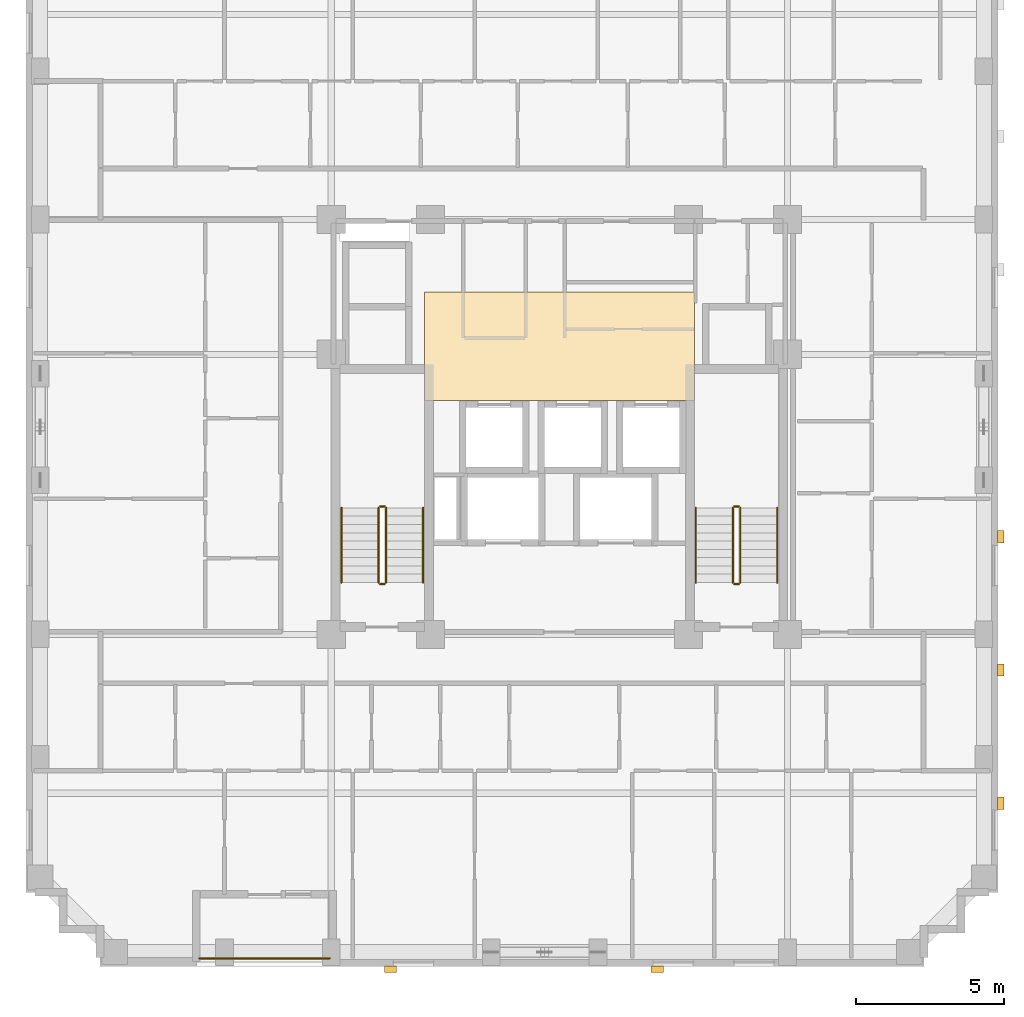
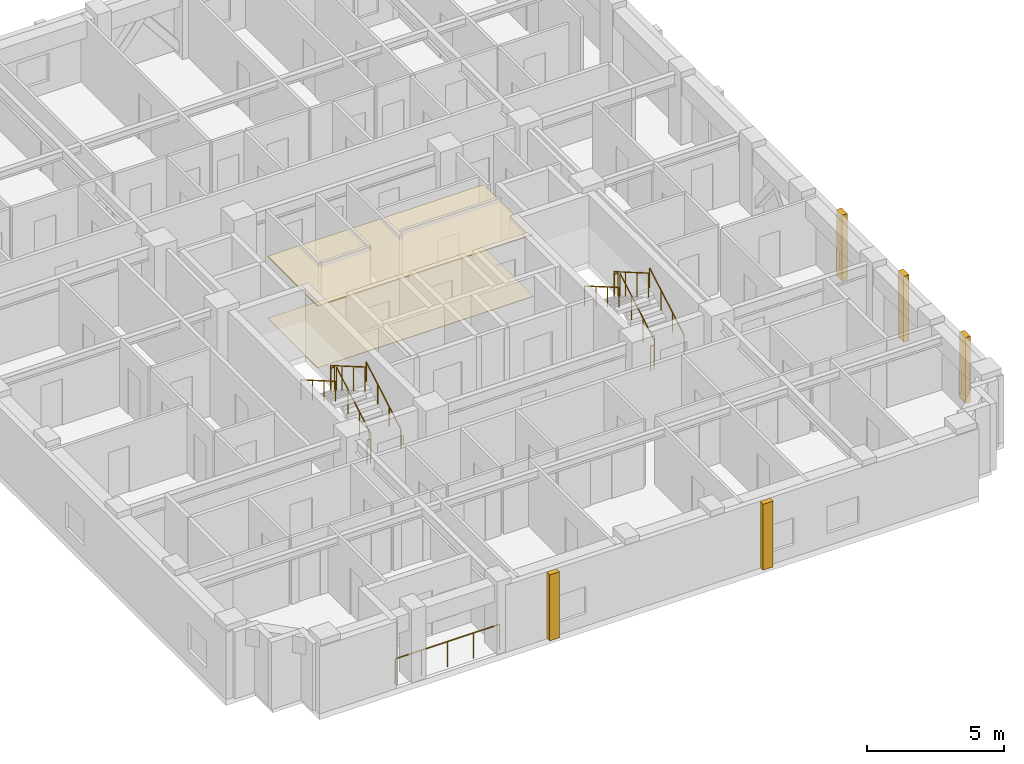
# One storey, part 10 of 11: 13 railings, 7 coverings.
"""IFC4 building model written with IfcOpenShell, lengths in metres."""

from ifc_helpers import new_model, si_unit, derived_unit, direction, frame, origin, origin_2d, place, context, subcontext, project, spatial, polyline, rectangle, circle, outline, extrude, material, layer, layer_set, type_object, element, save


model = new_model("IFC4")

# Units and contexts
model_context = context("Model", 3, precision=1e-05, world=origin(), true_north=direction((0.0, 1.0)))
body_context = subcontext(model_context, "Body", "Model", "MODEL_VIEW")
ifc_project = project(units=[si_unit("LENGTHUNIT", "METRE"), si_unit("AREAUNIT", "SQUARE_METRE"), si_unit("VOLUMEUNIT", "CUBIC_METRE"), si_unit("PLANEANGLEUNIT", "RADIAN"), si_unit("MASSUNIT", "GRAM", prefix="KILO"), derived_unit("THERMALTRANSMITTANCEUNIT", [(si_unit("MASSUNIT", "GRAM", prefix="KILO"), 1), (si_unit("TIMEUNIT", "SECOND"), -3), (si_unit("THERMODYNAMICTEMPERATUREUNIT", "KELVIN"), -1)])], contexts=[model_context])

# Site, building, storey
site_placement = place(None, origin())
site = spatial("IfcSite", under=ifc_project, at=site_placement, CompositionType="ELEMENT")
building_placement = place(site_placement, origin())
building = spatial("IfcBuilding", under=site, at=building_placement, Name="Korrvale Station Residences", CompositionType="ELEMENT")
storey_placement = place(building_placement, frame((0.0, 0.0, 153.64990234375)))
storey = spatial("IfcBuildingStorey", under=building, at=storey_placement, Name="L44", CompositionType="ELEMENT", Elevation=153.64990234375)

# Coverings
ifc_material_1 = material(Name="Perforated acoustic mineral-fibre suspended ceiling", Category="gypsum")
ifc_layer_1 = layer(ifc_material_1, 0.050048828125, Name="Perforated acoustic mineral-fibre suspended ceiling")
ifc_layer_set_1 = layer_set([ifc_layer_1], Name="Perforated acoustic mineral-fibre suspended ceiling")
covering_type_1 = type_object("IfcCoveringType", Name="COV-CLG-AC60", PredefinedType="CEILING", material=ifc_layer_set_1)
covering_1_placement = place(storey_placement, frame((0.0, 0.0, 2.739990234375)))
element("IfcCovering", 1, at=covering_1_placement, inside=storey, type_object=covering_type_1, Name="L44 Elevator Lobby Acoustic Ceiling", PredefinedType="CEILING", context=body_context, shape_type="SweptSolid", body=[
    extrude(outline(polyline([(20.949951171875, 22.89990234375), (30.050048828125, 22.89990234375), (30.050048828125, 26.550048828125), (20.949951171875, 26.550048828125), (20.949951171875, 22.89990234375)])), origin(), (0.0, 0.0, 1.0), 0.050048828125),
])
ifc_material_2 = material(Name="Polished quartz-terrazzo lobby flooring", Category="masonry")
ifc_layer_2 = layer(ifc_material_2, 0.02001953125, Name="Polished quartz-terrazzo lobby flooring")
ifc_layer_set_2 = layer_set([ifc_layer_2], Name="Polished quartz-terrazzo lobby flooring")
covering_type_2 = type_object("IfcCoveringType", Name="COV-FLR-TER20", PredefinedType="FLOORING", material=ifc_layer_set_2)
covering_2_placement = place(storey_placement, origin())
element("IfcCovering", 2, at=covering_2_placement, inside=storey, type_object=covering_type_2, Name="L44 Elevator Lobby Terrazzo Flooring", PredefinedType="FLOORING", context=body_context, shape_type="SweptSolid", body=[
    extrude(outline(polyline([(20.949951171875, 22.89990234375), (30.050048828125, 22.89990234375), (30.050048828125, 26.550048828125), (20.949951171875, 26.550048828125), (20.949951171875, 22.89990234375)])), origin(), (0.0, 0.0, 1.0), 0.02001953125),
])
ifc_material_3 = material(Name="Architectural precast concrete C45/55", Category="concrete")
ifc_layer_3 = layer(ifc_material_3, 0.219970703125, Name="Architectural precast concrete C45/55")
ifc_layer_set_3 = layer_set([ifc_layer_3], Name="Architectural precast concrete C45/55")
covering_type_3 = type_object("IfcCoveringType", Name="COV-PIER-400", PredefinedType="CLADDING", material=ifc_layer_set_3)
for number, where, z_axis, x_axis, name in (
    (3, (28.800048828125, 3.7099609375, 0.025146484375), (0.0, 0.0, 1.0), (1.0, 0.0, 0.0), "L44 Architectural Precast Facade Pier 01"),
    (4, (19.800048828125, 3.7099609375, 0.025146484375), (0.0, 0.0, 1.0), (1.0, 0.0, 0.0), "L44 Architectural Precast Facade Pier 02"),
    (5, (40.389892578125, 18.300048828125, 0.025146484375), (0.0, 0.0, 1.0), (0.0, 1.0, 0.0), "L44 Architectural Precast Facade Pier 08"),
    (6, (40.389892578125, 13.800048828125, 0.025146484375), (0.0, 0.0, 1.0), (0.0, 1.0, 0.0), "L44 Architectural Precast Facade Pier 09"),
    (7, (40.389892578125, 9.300048828125, 0.025146484375), (0.0, 0.0, 1.0), (0.0, 1.0, 0.0), "L44 Architectural Precast Facade Pier 10"),
):
    element("IfcCovering", number, at=place(storey_placement, frame(where, z_axis=z_axis, x_axis=x_axis)), inside=storey, type_object=covering_type_3, Name=name, PredefinedType="CLADDING", context=body_context, shape_type="SweptSolid", body=[
        extrude(rectangle(XDim=0.419921875, YDim=0.219970703125, at=origin_2d()), origin(), (0.0, 0.0, 1.0), 2.93994140625),
    ])

# Railings
ifc_material_4 = material(Name="Powder-coated aluminium picket loggia guard", Category="aluminium")
railing_type_1 = type_object("IfcRailingType", Name="RLG-BAL-1150", PredefinedType="GUARDRAIL", material=ifc_material_4)
railing_1_placement = place(storey_placement, frame((13.35009765625, 4.070068359375, 0.0)))
element("IfcRailing", 8, at=railing_1_placement, inside=storey, type_object=railing_type_1, Name="L44 Recessed Loggia Guardrail BAL-L44-S1", PredefinedType="GUARDRAIL", context=body_context, shape_type="SweptSolid", body=[
    extrude(circle(Radius=0.02392578125, at=origin_2d()), frame((0.0, 0.0, 1.1259765625), z_axis=(1.0, 0.0, 0.0), x_axis=(0.0, 1.0, 0.0)), (0.0, 0.0, 1.0), 4.39990234375),
    extrude(circle(Radius=0.02099609375, at=origin_2d()), origin(), (0.0, 0.0, 1.0), 1.101806640625),
    extrude(circle(Radius=0.02099609375, at=origin_2d()), frame((1.10009765625, 0.0, 0.0)), (0.0, 0.0, 1.0), 1.101806640625),
    extrude(circle(Radius=0.02099609375, at=origin_2d()), frame((2.199951171875, 0.0, 0.0)), (0.0, 0.0, 1.0), 1.101806640625),
    extrude(circle(Radius=0.02099609375, at=origin_2d()), frame((3.2998046875, 0.0, 0.0)), (0.0, 0.0, 1.0), 1.101806640625),
    extrude(circle(Radius=0.02099609375, at=origin_2d()), frame((4.39990234375, 0.0, 0.0)), (0.0, 0.0, 1.0), 1.101806640625),
])
ifc_material_5 = material(Name="Brushed stainless-steel continuous stair handrail", Category="steel")
railing_type_2 = type_object("IfcRailingType", Name="RLG-SHND-900", PredefinedType="HANDRAIL", material=ifc_material_5)
railing_2_placement = place(storey_placement, frame((20.89990234375, 16.75, 0.16259765625)))
element("IfcRailing", 9, at=railing_2_placement, inside=storey, type_object=railing_type_2, Name="L44 ST-1 stair handrail 1", PredefinedType="HANDRAIL", context=body_context, shape_type="SweptSolid", body=[
    extrude(circle(Radius=0.02392578125, at=origin_2d()), frame((0.0, 0.0, 0.8759765625), z_axis=(0.0, 0.864913338283, 0.50192122615), x_axis=(-1.0, 0.0, 0.0)), (0.0, 0.0, 1.0), 2.91357421875),
    extrude(circle(Radius=0.02099609375, at=origin_2d()), origin(), (0.0, 0.0, 1.0), 0.851806640625),
    extrude(circle(Radius=0.02099609375, at=origin_2d()), frame((0.0, 0.840087890625, 0.487548828125)), (0.0, 0.0, 1.0), 0.851806640625),
    extrude(circle(Radius=0.02099609375, at=origin_2d()), frame((0.0, 1.679931640625, 0.974853515625)), (0.0, 0.0, 1.0), 0.851806640625),
    extrude(circle(Radius=0.02099609375, at=origin_2d()), frame((0.0, 2.52001953125, 1.46240234375)), (0.0, 0.0, 1.0), 0.851806640625),
])
railing_3_placement = place(storey_placement, frame((18.14990234375, 19.27001953125, 1.78759765625)))
element("IfcRailing", 10, at=railing_3_placement, inside=storey, type_object=railing_type_2, Name="L44 ST-1 stair handrail 2", PredefinedType="HANDRAIL", context=body_context, shape_type="SweptSolid", body=[
    extrude(circle(Radius=0.02392578125, at=origin_2d()), frame((0.0, 0.0, 0.8759765625), z_axis=(0.0, -0.864913338283, 0.50192122615), x_axis=(1.0, 0.0, 0.0)), (0.0, 0.0, 1.0), 2.91357421875),
    extrude(circle(Radius=0.02099609375, at=origin_2d()), origin(), (0.0, 0.0, 1.0), 0.851806640625),
    extrude(circle(Radius=0.02099609375, at=origin_2d()), frame((0.0, -0.840087890625, 0.487548828125)), (0.0, 0.0, 1.0), 0.851806640625),
    extrude(circle(Radius=0.02099609375, at=origin_2d()), frame((0.0, -1.679931640625, 0.974853515625)), (0.0, 0.0, 1.0), 0.851806640625),
    extrude(circle(Radius=0.02099609375, at=origin_2d()), frame((0.0, -2.52001953125, 1.46240234375)), (0.0, 0.0, 1.0), 0.851806640625),
])
railing_4_placement = place(storey_placement, frame((32.85009765625, 16.75, 0.16259765625)))
element("IfcRailing", 11, at=railing_4_placement, inside=storey, type_object=railing_type_2, Name="L44 ST-2 stair handrail 1", PredefinedType="HANDRAIL", context=body_context, shape_type="SweptSolid", body=[
    extrude(circle(Radius=0.02392578125, at=origin_2d()), frame((0.0, 0.0, 0.8759765625), z_axis=(0.0, 0.864913338283, 0.50192122615), x_axis=(-1.0, 0.0, 0.0)), (0.0, 0.0, 1.0), 2.91357421875),
    extrude(circle(Radius=0.02099609375, at=origin_2d()), origin(), (0.0, 0.0, 1.0), 0.851806640625),
    extrude(circle(Radius=0.02099609375, at=origin_2d()), frame((0.0, 0.840087890625, 0.487548828125)), (0.0, 0.0, 1.0), 0.851806640625),
    extrude(circle(Radius=0.02099609375, at=origin_2d()), frame((0.0, 1.679931640625, 0.974853515625)), (0.0, 0.0, 1.0), 0.851806640625),
    extrude(circle(Radius=0.02099609375, at=origin_2d()), frame((0.0, 2.52001953125, 1.46240234375)), (0.0, 0.0, 1.0), 0.851806640625),
])
railing_5_placement = place(storey_placement, frame((30.10009765625, 19.27001953125, 1.78759765625)))
element("IfcRailing", 12, at=railing_5_placement, inside=storey, type_object=railing_type_2, Name="L44 ST-2 stair handrail 2", PredefinedType="HANDRAIL", context=body_context, shape_type="SweptSolid", body=[
    extrude(circle(Radius=0.02392578125, at=origin_2d()), frame((0.0, 0.0, 0.8759765625), z_axis=(0.0, -0.864913338283, 0.50192122615), x_axis=(1.0, 0.0, 0.0)), (0.0, 0.0, 1.0), 2.91357421875),
    extrude(circle(Radius=0.02099609375, at=origin_2d()), origin(), (0.0, 0.0, 1.0), 0.851806640625),
    extrude(circle(Radius=0.02099609375, at=origin_2d()), frame((0.0, -0.840087890625, 0.487548828125)), (0.0, 0.0, 1.0), 0.851806640625),
    extrude(circle(Radius=0.02099609375, at=origin_2d()), frame((0.0, -1.679931640625, 0.974853515625)), (0.0, 0.0, 1.0), 0.851806640625),
    extrude(circle(Radius=0.02099609375, at=origin_2d()), frame((0.0, -2.52001953125, 1.46240234375)), (0.0, 0.0, 1.0), 0.851806640625),
])
ifc_material_6 = material(Name="Galvanised painted tubular steel stair guard", Category="steel")
railing_type_3 = type_object("IfcRailingType", Name="RLG-STR-1100", PredefinedType="GUARDRAIL", material=ifc_material_6)
railing_6_placement = place(storey_placement, frame((19.64990234375, 16.75, 0.16259765625)))
element("IfcRailing", 13, at=railing_6_placement, inside=storey, type_object=railing_type_3, Name="L44 ST-1 stair guard 1", PredefinedType="GUARDRAIL", context=body_context, shape_type="SweptSolid", body=[
    extrude(circle(Radius=0.02392578125, at=origin_2d()), frame((0.0, 0.0, 1.076171875), z_axis=(0.0, 0.864913338283, 0.50192122615), x_axis=(-1.0, 0.0, 0.0)), (0.0, 0.0, 1.0), 2.91357421875),
    extrude(circle(Radius=0.02099609375, at=origin_2d()), origin(), (0.0, 0.0, 1.0), 1.052001953125),
    extrude(circle(Radius=0.02099609375, at=origin_2d()), frame((0.0, 0.840087890625, 0.487548828125)), (0.0, 0.0, 1.0), 1.052001953125),
    extrude(circle(Radius=0.02099609375, at=origin_2d()), frame((0.0, 1.679931640625, 0.974853515625)), (0.0, 0.0, 1.0), 1.052001953125),
    extrude(circle(Radius=0.02099609375, at=origin_2d()), frame((0.0, 2.52001953125, 1.46240234375)), (0.0, 0.0, 1.0), 1.052001953125),
])
railing_7_placement = place(storey_placement, frame((19.60009765625, 19.320068359375, 1.625)))
element("IfcRailing", 14, at=railing_7_placement, inside=storey, type_object=railing_type_3, Name="L44 ST-1 stair guard 2", PredefinedType="GUARDRAIL", context=body_context, shape_type="SweptSolid", body=[
    extrude(circle(Radius=0.02392578125, at=origin_2d()), frame((0.0, 0.0, 1.076171875), z_axis=(-1.0, 0.0, 0.0), x_axis=(0.0, -1.0, 0.0)), (0.0, 0.0, 1.0), 0.150146484375),
    extrude(circle(Radius=0.02099609375, at=origin_2d()), origin(), (0.0, 0.0, 1.0), 1.052001953125),
    extrude(circle(Radius=0.02099609375, at=origin_2d()), frame((-0.150146484375, 0.0, 0.0)), (0.0, 0.0, 1.0), 1.052001953125),
])
railing_8_placement = place(storey_placement, frame((19.39990234375, 19.27001953125, 1.78759765625)))
element("IfcRailing", 15, at=railing_8_placement, inside=storey, type_object=railing_type_3, Name="L44 ST-1 stair guard 3", PredefinedType="GUARDRAIL", context=body_context, shape_type="SweptSolid", body=[
    extrude(circle(Radius=0.02392578125, at=origin_2d()), frame((0.0, 0.0, 1.076171875), z_axis=(0.0, -0.864913338283, 0.50192122615), x_axis=(1.0, 0.0, 0.0)), (0.0, 0.0, 1.0), 2.91357421875),
    extrude(circle(Radius=0.02099609375, at=origin_2d()), origin(), (0.0, 0.0, 1.0), 1.052001953125),
    extrude(circle(Radius=0.02099609375, at=origin_2d()), frame((0.0, -0.840087890625, 0.487548828125)), (0.0, 0.0, 1.0), 1.052001953125),
    extrude(circle(Radius=0.02099609375, at=origin_2d()), frame((0.0, -1.679931640625, 0.974853515625)), (0.0, 0.0, 1.0), 1.052001953125),
    extrude(circle(Radius=0.02099609375, at=origin_2d()), frame((0.0, -2.52001953125, 1.46240234375)), (0.0, 0.0, 1.0), 1.052001953125),
])
railing_9_placement = place(storey_placement, frame((19.60009765625, 16.699951171875, 0.0)))
element("IfcRailing", 16, at=railing_9_placement, inside=storey, type_object=railing_type_3, Name="L44 ST-1 stair guard 4", PredefinedType="GUARDRAIL", context=body_context, shape_type="SweptSolid", body=[
    extrude(circle(Radius=0.02392578125, at=origin_2d()), frame((0.0, 0.0, 1.076171875), z_axis=(-1.0, 0.0, 0.0), x_axis=(0.0, -1.0, 0.0)), (0.0, 0.0, 1.0), 0.150146484375),
    extrude(circle(Radius=0.02099609375, at=origin_2d()), origin(), (0.0, 0.0, 1.0), 1.052001953125),
    extrude(circle(Radius=0.02099609375, at=origin_2d()), frame((-0.150146484375, 0.0, 0.0)), (0.0, 0.0, 1.0), 1.052001953125),
])
railing_10_placement = place(storey_placement, frame((31.60009765625, 16.75, 0.16259765625)))
element("IfcRailing", 17, at=railing_10_placement, inside=storey, type_object=railing_type_3, Name="L44 ST-2 stair guard 1", PredefinedType="GUARDRAIL", context=body_context, shape_type="SweptSolid", body=[
    extrude(circle(Radius=0.02392578125, at=origin_2d()), frame((0.0, 0.0, 1.076171875), z_axis=(0.0, 0.864913338283, 0.50192122615), x_axis=(-1.0, 0.0, 0.0)), (0.0, 0.0, 1.0), 2.91357421875),
    extrude(circle(Radius=0.02099609375, at=origin_2d()), origin(), (0.0, 0.0, 1.0), 1.052001953125),
    extrude(circle(Radius=0.02099609375, at=origin_2d()), frame((0.0, 0.840087890625, 0.487548828125)), (0.0, 0.0, 1.0), 1.052001953125),
    extrude(circle(Radius=0.02099609375, at=origin_2d()), frame((0.0, 1.679931640625, 0.974853515625)), (0.0, 0.0, 1.0), 1.052001953125),
    extrude(circle(Radius=0.02099609375, at=origin_2d()), frame((0.0, 2.52001953125, 1.46240234375)), (0.0, 0.0, 1.0), 1.052001953125),
])
railing_11_placement = place(storey_placement, frame((31.550048828125, 19.320068359375, 1.625)))
element("IfcRailing", 18, at=railing_11_placement, inside=storey, type_object=railing_type_3, Name="L44 ST-2 stair guard 2", PredefinedType="GUARDRAIL", context=body_context, shape_type="SweptSolid", body=[
    extrude(circle(Radius=0.02392578125, at=origin_2d()), frame((0.0, 0.0, 1.076171875), z_axis=(-1.0, 0.0, 0.0), x_axis=(0.0, -1.0, 0.0)), (0.0, 0.0, 1.0), 0.150146484375),
    extrude(circle(Radius=0.02099609375, at=origin_2d()), origin(), (0.0, 0.0, 1.0), 1.052001953125),
    extrude(circle(Radius=0.02099609375, at=origin_2d()), frame((-0.150146484375, 0.0, 0.0)), (0.0, 0.0, 1.0), 1.052001953125),
])
railing_12_placement = place(storey_placement, frame((31.35009765625, 19.27001953125, 1.78759765625)))
element("IfcRailing", 19, at=railing_12_placement, inside=storey, type_object=railing_type_3, Name="L44 ST-2 stair guard 3", PredefinedType="GUARDRAIL", context=body_context, shape_type="SweptSolid", body=[
    extrude(circle(Radius=0.02392578125, at=origin_2d()), frame((0.0, 0.0, 1.076171875), z_axis=(0.0, -0.864913338283, 0.50192122615), x_axis=(1.0, 0.0, 0.0)), (0.0, 0.0, 1.0), 2.91357421875),
    extrude(circle(Radius=0.02099609375, at=origin_2d()), origin(), (0.0, 0.0, 1.0), 1.052001953125),
    extrude(circle(Radius=0.02099609375, at=origin_2d()), frame((0.0, -0.840087890625, 0.487548828125)), (0.0, 0.0, 1.0), 1.052001953125),
    extrude(circle(Radius=0.02099609375, at=origin_2d()), frame((0.0, -1.679931640625, 0.974853515625)), (0.0, 0.0, 1.0), 1.052001953125),
    extrude(circle(Radius=0.02099609375, at=origin_2d()), frame((0.0, -2.52001953125, 1.46240234375)), (0.0, 0.0, 1.0), 1.052001953125),
])
railing_13_placement = place(storey_placement, frame((31.550048828125, 16.699951171875, 0.0)))
element("IfcRailing", 20, at=railing_13_placement, inside=storey, type_object=railing_type_3, Name="L44 ST-2 stair guard 4", PredefinedType="GUARDRAIL", context=body_context, shape_type="SweptSolid", body=[
    extrude(circle(Radius=0.02392578125, at=origin_2d()), frame((0.0, 0.0, 1.076171875), z_axis=(-1.0, 0.0, 0.0), x_axis=(0.0, -1.0, 0.0)), (0.0, 0.0, 1.0), 0.150146484375),
    extrude(circle(Radius=0.02099609375, at=origin_2d()), origin(), (0.0, 0.0, 1.0), 1.052001953125),
    extrude(circle(Radius=0.02099609375, at=origin_2d()), frame((-0.150146484375, 0.0, 0.0)), (0.0, 0.0, 1.0), 1.052001953125),
])

save(model, "model.ifc")
